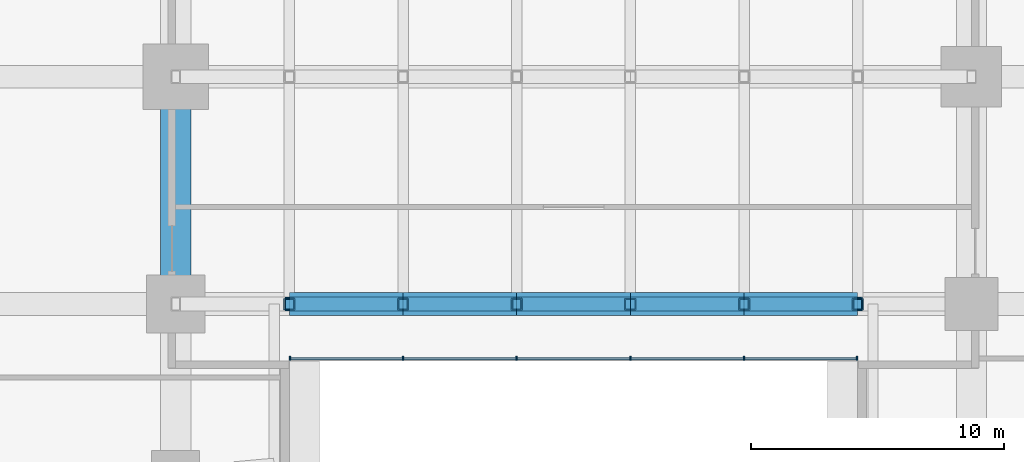
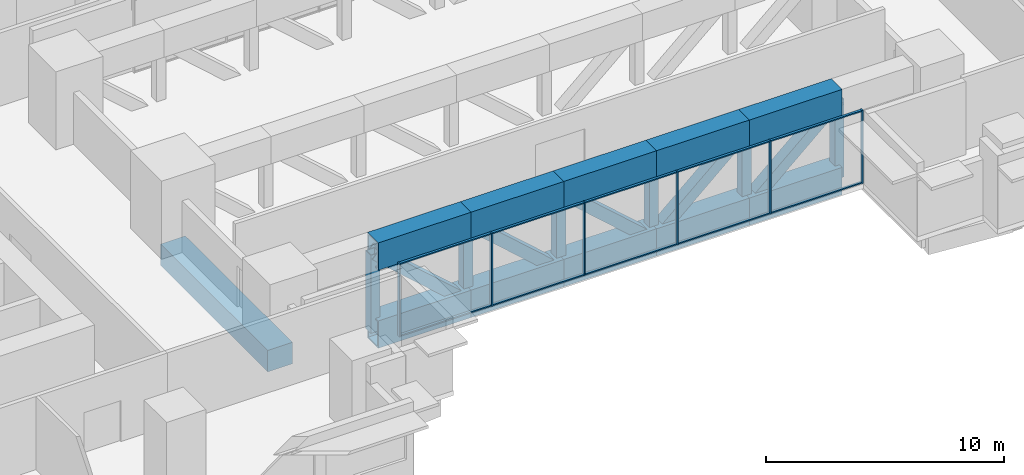
# One storey, part 2 of 15: 37 members, 1 beam, 1 element without a shape of its own.
"""IFC4 building model written with IfcOpenShell, lengths in metres."""

import ifcopenshell
import ifcopenshell.guid

model = None  # the IFC model being written
_history = None  # IfcOwnerHistory: only IFC2X3 demands one
_inside = {}  # id of a spatial element -> (the spatial element, [elements in it])
_under = {}  # id of a project, library or spatial element -> (it, [spatial elements below it])
_declared = {}  # id of a project -> (the project, [libraries it declares])
_typed = {}  # id of a type object -> (the type object, [elements of that type])
_made_of = {}  # id of a material, layer set ... -> (it, [elements and type objects made of it])


def new_model(schema):
    """Start an empty IFC model of exactly this schema.

    Asked for "IFC4X3", IfcOpenShell would pick the latest addendum, in which some entities
    have other attributes; the version numbers below select the first issue.
    IFC2X3 requires an IfcOwnerHistory on every rooted entity: one is made here for all.
    """
    global model, _history
    if schema == "IFC4X3":
        model = ifcopenshell.file(schema_version=(4, 3, 0, 0))
    else:
        model = ifcopenshell.file(schema=schema)
    _inside.clear()
    _under.clear()
    _declared.clear()
    _typed.clear()
    _made_of.clear()
    _history = None
    if model.schema == "IFC2X3":
        org = make("IfcOrganization", Name="unknown")
        user = make(
            "IfcPersonAndOrganization",
            ThePerson=make("IfcPerson", FamilyName="unknown"),
            TheOrganization=org,
        )
        app = make(
            "IfcApplication",
            ApplicationDeveloper=org,
            Version="unknown",
            ApplicationFullName="unknown",
            ApplicationIdentifier="unknown",
        )
        _history = make(
            "IfcOwnerHistory",
            OwningUser=user,
            OwningApplication=app,
            ChangeAction="ADDED",
            CreationDate=0,
        )
    return model


def make(cls, **values):
    """One entity of the class cls with the attributes given. An attribute that is None is left unset."""
    return model.create_entity(
        cls, **{name: value for name, value in values.items() if value is not None}
    )


def rooted(cls, **values):
    """An entity with a GlobalId (a new one), such as an element, a storey or a relation."""
    return make(cls, GlobalId=ifcopenshell.guid.new(), OwnerHistory=_history, **values)


def si_unit(unit_type, name, prefix=None):
    """IfcSIUnit, for example si_unit("LENGTHUNIT", "METRE", prefix="MILLI")."""
    return make("IfcSIUnit", UnitType=unit_type, Prefix=prefix, Name=name)


def assignment(units):
    """IfcUnitAssignment: the units of a project."""
    return None if units is None else make("IfcUnitAssignment", Units=units)


def point(xyz):
    """IfcCartesianPoint."""
    return None if xyz is None else make("IfcCartesianPoint", Coordinates=xyz)


def direction(xyz):
    """IfcDirection."""
    return None if xyz is None else make("IfcDirection", DirectionRatios=xyz)


def frame(location, z_axis=None, x_axis=None):
    """IfcAxis2Placement3D, a coordinate frame: its origin and axes. An axis left out is left unset."""
    return make(
        "IfcAxis2Placement3D",
        Location=point(location),
        Axis=direction(z_axis),
        RefDirection=direction(x_axis),
    )


def frame_2d(location, x_axis=None):
    """IfcAxis2Placement2D, a coordinate frame in the plane: its origin and x axis."""
    return make(
        "IfcAxis2Placement2D", Location=point(location), RefDirection=direction(x_axis)
    )


def origin():
    """The frame at (0, 0, 0) with its axes left unset."""
    return frame((0.0, 0.0, 0.0))


def origin_2d():
    """The frame at (0, 0) in the plane with its x axis left unset."""
    return frame_2d((0.0, 0.0))


def place(relative_to, where):
    """IfcLocalPlacement: puts the frame where relative to a parent placement (None: the world)."""
    return make(
        "IfcLocalPlacement", PlacementRelTo=relative_to, RelativePlacement=where
    )


def context(
    kind, dimensions, precision=None, world=None, true_north=None, identifier=None
):
    """IfcGeometricRepresentationContext, for example the 3D "Model" context."""
    return make(
        "IfcGeometricRepresentationContext",
        ContextIdentifier=identifier,
        ContextType=kind,
        CoordinateSpaceDimension=dimensions,
        Precision=precision,
        WorldCoordinateSystem=world,
        TrueNorth=true_north,
    )


def subcontext(parent, identifier, kind, view, scale=None):
    """IfcGeometricRepresentationSubContext, for example "Body" below "Model"."""
    return make(
        "IfcGeometricRepresentationSubContext",
        ContextIdentifier=identifier,
        ContextType=kind,
        ParentContext=parent,
        TargetScale=scale,
        TargetView=view,
    )


def project(units=None, contexts=None):
    """IfcProject with its units and contexts."""
    return rooted(
        "IfcProject",
        Name="project",
        RepresentationContexts=contexts,
        UnitsInContext=assignment(units),
    )


def spatial(cls, under=None, at=None, **own):
    """A site, building, storey or space (cls), placed at a placement, below another one or the project."""
    s = rooted(cls, ObjectPlacement=at, **own)
    if under is not None:
        _under.setdefault(under.id(), (under, []))[1].append(s)
    return s


def profile(cls, at=None, kind="AREA", **sizes):
    """A parametric profile (cls). Its sizes go by their IFC names, for example OverallWidth=200.0."""
    return make(cls, ProfileType=kind, Position=at, **sizes)


def rectangle(**sizes):
    """IfcRectangleProfileDef."""
    return profile("IfcRectangleProfileDef", **sizes)


def hollow_rectangle(**sizes):
    """IfcRectangleHollowProfileDef."""
    return profile("IfcRectangleHollowProfileDef", **sizes)


def extrude(swept, where, along, depth):
    """IfcExtrudedAreaSolid: the profile swept, set in the frame where, extruded along a direction by depth."""
    return make(
        "IfcExtrudedAreaSolid",
        SweptArea=swept,
        Position=where,
        ExtrudedDirection=direction(along),
        Depth=depth,
    )


def shape(context_of_items, identifier, shape_type, items):
    """IfcShapeRepresentation: the items that make up one representation, for example the "Body"."""
    return make(
        "IfcShapeRepresentation",
        ContextOfItems=context_of_items,
        RepresentationIdentifier=identifier,
        RepresentationType=shape_type,
        Items=items,
    )


def material(Name=None, Category=None):
    """IfcMaterial."""
    return make("IfcMaterial", Name=Name, Category=Category)


def layer(
    of_material, thickness, ventilated=None, Name=None, Category=None, Priority=None
):
    """IfcMaterialLayer: one layer of a wall or slab, of a material (None: an air gap)."""
    return make(
        "IfcMaterialLayer",
        Material=of_material,
        LayerThickness=thickness,
        IsVentilated=ventilated,
        Name=Name,
        Category=Category,
        Priority=Priority,
    )


def layer_set(layers, Name=None):
    """IfcMaterialLayerSet."""
    return make("IfcMaterialLayerSet", MaterialLayers=layers, LayerSetName=Name)


def material_profile(
    of_material, cross_section, Name=None, Category=None, Priority=None
):
    """IfcMaterialProfile: a cross section and its material."""
    return make(
        "IfcMaterialProfile",
        Name=Name,
        Material=of_material,
        Profile=cross_section,
        Priority=Priority,
        Category=Category,
    )


def profile_set(profiles, Name=None, composite=None):
    """IfcMaterialProfileSet."""
    return make(
        "IfcMaterialProfileSet",
        Name=Name,
        MaterialProfiles=profiles,
        CompositeProfile=composite,
    )


def made_of(thing, what):
    """Note that an element or type object is made of a material, layer set ...; save() writes the relation."""
    if what is not None:
        _made_of.setdefault(what.id(), (what, []))[1].append(thing)
    return thing


def type_object(cls, material=None, **own):
    """A type object (cls), such as IfcWallType, which elements share."""
    return made_of(rooted(cls, **own), material)


def element(
    cls,
    number,
    at=None,
    inside=None,
    cuts=None,
    type_object=None,
    material=None,
    context=None,
    identifier="Body",
    shape_type=None,
    held_by="IfcProductDefinitionShape",
    body=None,
    shapes=None,
    **own,
):
    """One element of the class cls, such as IfcWall. Its Tag is "e" and its number.

    at: its placement. inside: the storey or other place that contains it. cuts: it is an
    opening in that element (IfcRelVoidsElement). A single representation is given by context,
    identifier, shape_type and body (its items); several are given by shapes. held_by: the class
    of the entity that holds the representations. save() writes the other relations.
    """
    e = rooted(cls, Tag="e%d" % number, ObjectPlacement=at, **own)
    if body is not None:
        shapes = [shape(context, identifier, shape_type, body)]
    if shapes is not None:
        e.Representation = make(held_by, Representations=shapes)
    if inside is not None:
        _inside.setdefault(inside.id(), (inside, []))[1].append(e)
    if cuts is not None:
        rooted(
            "IfcRelVoidsElement", RelatingBuildingElement=cuts, RelatedOpeningElement=e
        )
    if type_object is not None:
        _typed.setdefault(type_object.id(), (type_object, []))[1].append(e)
    return made_of(e, material)


def aggregate(whole, parts):
    """IfcRelAggregates: a whole, such as a stair, and the parts it consists of."""
    return rooted("IfcRelAggregates", RelatingObject=whole, RelatedObjects=parts)


def save(model, path):
    """Write the relations noted so far, then the file.

    IfcRelAggregates (storeys below a building ...), IfcRelContainedInSpatialStructure (elements
    in a storey), IfcRelDefinesByType, IfcRelAssociatesMaterial and IfcRelDeclares: one each for
    every whole, place, type object, material and project.
    """
    for whole, parts in _under.values():
        aggregate(whole, parts)
    for where, things in _inside.values():
        rooted(
            "IfcRelContainedInSpatialStructure",
            RelatedElements=things,
            RelatingStructure=where,
        )
    for kind, things in _typed.values():
        rooted("IfcRelDefinesByType", RelatedObjects=things, RelatingType=kind)
    for what, things in _made_of.values():
        rooted("IfcRelAssociatesMaterial", RelatedObjects=things, RelatingMaterial=what)
    for by, libraries in _declared.values():
        rooted("IfcRelDeclares", RelatingContext=by, RelatedDefinitions=libraries)
    model.write(path)


model = new_model("IFC4")

# Units and contexts
model_context = context("Model", 3, precision=1e-05, world=origin(), true_north=direction((0.0, 1.0)))
body_context = subcontext(model_context, "Body", "Model", "MODEL_VIEW")
ifc_project = project(units=[si_unit("LENGTHUNIT", "METRE"), si_unit("AREAUNIT", "SQUARE_METRE"), si_unit("VOLUMEUNIT", "CUBIC_METRE"), si_unit("PLANEANGLEUNIT", "RADIAN"), si_unit("MASSUNIT", "GRAM", prefix="KILO")], contexts=[model_context])

# Site, building, storey
site_placement = place(None, origin())
site = spatial("IfcSite", under=ifc_project, at=site_placement, CompositionType="ELEMENT")
building_placement = place(site_placement, origin())
building = spatial("IfcBuilding", under=site, at=building_placement, Name="Namib Vertical Campus", CompositionType="ELEMENT")
storey_placement = place(building_placement, frame((0.0, 0.0, 105.0)))
storey = spatial("IfcBuildingStorey", under=building, at=storey_placement, Name="L24", CompositionType="ELEMENT", Elevation=105.0)

# Curtain wall, members
ifc_material_1 = material(Name="Black aluminium curtain wall", Category="aluminium")
ifc_layer = layer(ifc_material_1, 0.199951171875)
ifc_layer_set = layer_set([ifc_layer], Name="Bridge curtain wall CW-BR")
curtain_wall_type = type_object("IfcCurtainWallType", Name="Bridge curtain wall CW-BR", PredefinedType="USERDEFINED", material=ifc_layer_set)
curtain_wall_placement = place(storey_placement, origin())
curtain_wall = element("IfcCurtainWall", 1, at=curtain_wall_placement, inside=storey, type_object=curtain_wall_type, Name="Curtain wall CW-BR L24 S", ObjectType="CURTAIN WALL", PredefinedType="USERDEFINED")
ifc_material_2 = material(Name="Black anodised aluminium", Category="aluminium")
ifc_material_profile_1 = material_profile(ifc_material_2, rectangle(XDim=0.06005859375, YDim=0.159912109375, at=origin_2d()))
ifc_profile_set_1 = profile_set([ifc_material_profile_1], Name="Black anodised aluminium")
member_type_1 = type_object("IfcMemberType", Name="Curtain wall mullion 60x160", PredefinedType="MULLION", material=ifc_profile_set_1)
member_1_placement = place(storey_placement, frame((40.530029296875, 9.10009765625, 0.0), z_axis=(0.0, 0.0, 1.0), x_axis=(1.0, 0.0, 0.0)))
member_1 = element("IfcMember", 2, at=member_1_placement, type_object=member_type_1, Name="CW-BR mullion 1", PredefinedType="MULLION", context=body_context, shape_type="SweptSolid", body=[
    extrude(rectangle(XDim=0.06005859375, YDim=0.159912109375, at=origin_2d()), origin(), (0.0, 0.0, 1.0), 3.75),
])
member_2_placement = place(storey_placement, frame((45.0, 9.10009765625, 0.0), z_axis=(0.0, 0.0, 1.0), x_axis=(1.0, 0.0, 0.0)))
member_2 = element("IfcMember", 3, at=member_2_placement, type_object=member_type_1, Name="CW-BR mullion 2", PredefinedType="MULLION", context=body_context, shape_type="SweptSolid", body=[
    extrude(rectangle(XDim=0.06005859375, YDim=0.159912109375, at=origin_2d()), origin(), (0.0, 0.0, 1.0), 3.75),
])
member_3_placement = place(storey_placement, frame((49.5, 9.10009765625, 0.0), z_axis=(0.0, 0.0, 1.0), x_axis=(1.0, 0.0, 0.0)))
member_3 = element("IfcMember", 4, at=member_3_placement, type_object=member_type_1, Name="CW-BR mullion 3", PredefinedType="MULLION", context=body_context, shape_type="SweptSolid", body=[
    extrude(rectangle(XDim=0.06005859375, YDim=0.159912109375, at=origin_2d()), origin(), (0.0, 0.0, 1.0), 3.75),
])
member_4_placement = place(storey_placement, frame((54.0, 9.10009765625, 0.0), z_axis=(0.0, 0.0, 1.0), x_axis=(1.0, 0.0, 0.0)))
member_4 = element("IfcMember", 5, at=member_4_placement, type_object=member_type_1, Name="CW-BR mullion 4", PredefinedType="MULLION", context=body_context, shape_type="SweptSolid", body=[
    extrude(rectangle(XDim=0.06005859375, YDim=0.159912109375, at=origin_2d()), origin(), (0.0, 0.0, 1.0), 3.75),
])
member_5_placement = place(storey_placement, frame((58.5, 9.10009765625, 0.0), z_axis=(0.0, 0.0, 1.0), x_axis=(1.0, 0.0, 0.0)))
member_5 = element("IfcMember", 6, at=member_5_placement, type_object=member_type_1, Name="CW-BR mullion 5", PredefinedType="MULLION", context=body_context, shape_type="SweptSolid", body=[
    extrude(rectangle(XDim=0.06005859375, YDim=0.159912109375, at=origin_2d()), origin(), (0.0, 0.0, 1.0), 3.75),
])
member_6_placement = place(storey_placement, frame((62.969970703125, 9.10009765625, 0.0), z_axis=(0.0, 0.0, 1.0), x_axis=(1.0, 0.0, 0.0)))
member_6 = element("IfcMember", 7, at=member_6_placement, type_object=member_type_1, Name="CW-BR mullion 6", PredefinedType="MULLION", context=body_context, shape_type="SweptSolid", body=[
    extrude(rectangle(XDim=0.06005859375, YDim=0.159912109375, at=origin_2d()), origin(), (0.0, 0.0, 1.0), 3.75),
])
ifc_material_3 = material(Name="Black anodised aluminium", Category="aluminium")
ifc_material_profile_2 = material_profile(ifc_material_3, rectangle(XDim=0.06005859375, YDim=0.1201171875, at=origin_2d()))
ifc_profile_set_2 = profile_set([ifc_material_profile_2], Name="Black anodised aluminium")
member_type_2 = type_object("IfcMemberType", Name="Curtain wall transom 60x120", PredefinedType="USERDEFINED", material=ifc_profile_set_2)
member_7_placement = place(storey_placement, frame((40.56005859375, 9.10009765625, 0.030029296875), z_axis=(1.0, 0.0, 0.0), x_axis=(0.0, 0.0, 1.0)))
member_7 = element("IfcMember", 8, at=member_7_placement, type_object=member_type_2, Name="CW-BR transom 1.1", ObjectType="TRANSOM", PredefinedType="USERDEFINED", context=body_context, shape_type="SweptSolid", body=[
    extrude(rectangle(XDim=0.06005859375, YDim=0.1201171875, at=origin_2d()), origin(), (0.0, 0.0, 1.0), 4.409912109375),
])
member_8_placement = place(storey_placement, frame((40.56005859375, 9.10009765625, 3.719970703125), z_axis=(1.0, 0.0, 0.0), x_axis=(0.0, 0.0, 1.0)))
member_8 = element("IfcMember", 9, at=member_8_placement, type_object=member_type_2, Name="CW-BR transom 1.2", ObjectType="TRANSOM", PredefinedType="USERDEFINED", context=body_context, shape_type="SweptSolid", body=[
    extrude(rectangle(XDim=0.06005859375, YDim=0.1201171875, at=origin_2d()), origin(), (0.0, 0.0, 1.0), 4.409912109375),
])
member_9_placement = place(storey_placement, frame((45.030029296875, 9.10009765625, 0.030029296875), z_axis=(1.0, 0.0, 0.0), x_axis=(0.0, 0.0, 1.0)))
member_9 = element("IfcMember", 10, at=member_9_placement, type_object=member_type_2, Name="CW-BR transom 2.1", ObjectType="TRANSOM", PredefinedType="USERDEFINED", context=body_context, shape_type="SweptSolid", body=[
    extrude(rectangle(XDim=0.06005859375, YDim=0.1201171875, at=origin_2d()), origin(), (0.0, 0.0, 1.0), 4.43994140625),
])
member_10_placement = place(storey_placement, frame((45.030029296875, 9.10009765625, 3.719970703125), z_axis=(1.0, 0.0, 0.0), x_axis=(0.0, 0.0, 1.0)))
member_10 = element("IfcMember", 11, at=member_10_placement, type_object=member_type_2, Name="CW-BR transom 2.2", ObjectType="TRANSOM", PredefinedType="USERDEFINED", context=body_context, shape_type="SweptSolid", body=[
    extrude(rectangle(XDim=0.06005859375, YDim=0.1201171875, at=origin_2d()), origin(), (0.0, 0.0, 1.0), 4.43994140625),
])
member_11_placement = place(storey_placement, frame((49.530029296875, 9.10009765625, 0.030029296875), z_axis=(1.0, 0.0, 0.0), x_axis=(0.0, 0.0, 1.0)))
member_11 = element("IfcMember", 12, at=member_11_placement, type_object=member_type_2, Name="CW-BR transom 3.1", ObjectType="TRANSOM", PredefinedType="USERDEFINED", context=body_context, shape_type="SweptSolid", body=[
    extrude(rectangle(XDim=0.06005859375, YDim=0.1201171875, at=origin_2d()), origin(), (0.0, 0.0, 1.0), 4.43994140625),
])
member_12_placement = place(storey_placement, frame((49.530029296875, 9.10009765625, 3.719970703125), z_axis=(1.0, 0.0, 0.0), x_axis=(0.0, 0.0, 1.0)))
member_12 = element("IfcMember", 13, at=member_12_placement, type_object=member_type_2, Name="CW-BR transom 3.2", ObjectType="TRANSOM", PredefinedType="USERDEFINED", context=body_context, shape_type="SweptSolid", body=[
    extrude(rectangle(XDim=0.06005859375, YDim=0.1201171875, at=origin_2d()), origin(), (0.0, 0.0, 1.0), 4.43994140625),
])
member_13_placement = place(storey_placement, frame((54.030029296875, 9.10009765625, 0.030029296875), z_axis=(1.0, 0.0, 0.0), x_axis=(0.0, 0.0, 1.0)))
member_13 = element("IfcMember", 14, at=member_13_placement, type_object=member_type_2, Name="CW-BR transom 4.1", ObjectType="TRANSOM", PredefinedType="USERDEFINED", context=body_context, shape_type="SweptSolid", body=[
    extrude(rectangle(XDim=0.06005859375, YDim=0.1201171875, at=origin_2d()), origin(), (0.0, 0.0, 1.0), 4.43994140625),
])
member_14_placement = place(storey_placement, frame((54.030029296875, 9.10009765625, 3.719970703125), z_axis=(1.0, 0.0, 0.0), x_axis=(0.0, 0.0, 1.0)))
member_14 = element("IfcMember", 15, at=member_14_placement, type_object=member_type_2, Name="CW-BR transom 4.2", ObjectType="TRANSOM", PredefinedType="USERDEFINED", context=body_context, shape_type="SweptSolid", body=[
    extrude(rectangle(XDim=0.06005859375, YDim=0.1201171875, at=origin_2d()), origin(), (0.0, 0.0, 1.0), 4.43994140625),
])
member_15_placement = place(storey_placement, frame((58.530029296875, 9.10009765625, 0.030029296875), z_axis=(1.0, 0.0, 0.0), x_axis=(0.0, 0.0, 1.0)))
member_15 = element("IfcMember", 16, at=member_15_placement, type_object=member_type_2, Name="CW-BR transom 5.1", ObjectType="TRANSOM", PredefinedType="USERDEFINED", context=body_context, shape_type="SweptSolid", body=[
    extrude(rectangle(XDim=0.06005859375, YDim=0.1201171875, at=origin_2d()), origin(), (0.0, 0.0, 1.0), 4.409912109375),
])
member_16_placement = place(storey_placement, frame((58.530029296875, 9.10009765625, 3.719970703125), z_axis=(1.0, 0.0, 0.0), x_axis=(0.0, 0.0, 1.0)))
member_16 = element("IfcMember", 17, at=member_16_placement, type_object=member_type_2, Name="CW-BR transom 5.2", ObjectType="TRANSOM", PredefinedType="USERDEFINED", context=body_context, shape_type="SweptSolid", body=[
    extrude(rectangle(XDim=0.06005859375, YDim=0.1201171875, at=origin_2d()), origin(), (0.0, 0.0, 1.0), 4.409912109375),
])
aggregate(curtain_wall, [member_1, member_2, member_3, member_4, member_5, member_6, member_7, member_8, member_9, member_10, member_11, member_12, member_13, member_14, member_15, member_16])

# Beam
ifc_material_4 = material(Name="Concrete C40/50", Category="concrete")
ifc_material_profile_3 = material_profile(ifc_material_4, rectangle(XDim=1.199951171875, YDim=1.10009765625, at=origin_2d()))
ifc_profile_set_3 = profile_set([ifc_material_profile_3], Name="Concrete C40/50")
beam_type = type_object("IfcBeamType", Name="Face ring beam RC 1200x1100", PredefinedType="BEAM", material=ifc_profile_set_3)
beam_placement = place(storey_placement, frame((36.0, 11.25, -0.800048828125), z_axis=(0.0, 1.0, 0.0), x_axis=(-1.0, 0.0, 0.0)))
element("IfcBeam", 18, at=beam_placement, inside=storey, type_object=beam_type, Name="Beam B11 L24", PredefinedType="BEAM", context=body_context, shape_type="SweptSolid", body=[
    extrude(rectangle(XDim=1.199951171875, YDim=1.10009765625, at=origin_2d()), origin(), (0.0, 0.0, 1.0), 9.0),
])

# Members
ifc_material_5 = material(Name="Steel S355JR", Category="steel")
ifc_material_profile_4 = material_profile(ifc_material_5, hollow_rectangle(XDim=0.89990234375, YDim=1.39990234375, WallThickness=0.070068359375, at=origin_2d()))
ifc_profile_set_4 = profile_set([ifc_material_profile_4], Name="Steel S355JR")
member_type_3 = type_object("IfcMemberType", Name="Truss chord WB 1400x900x70", PredefinedType="CHORD", material=ifc_profile_set_4)
for number, where, z_axis, x_axis, name in (
    (19, (40.5, 11.25, -0.949951171875), (1.0, 0.0, 0.0), (0.0, 1.0, 0.0), "Transfer truss T1 bottom chord 2"),
    (20, (40.5, 11.25, 3.050048828125), (1.0, 0.0, 0.0), (0.0, 1.0, 0.0), "Transfer truss T1 top chord 2"),
    (21, (45.0, 11.25, -0.949951171875), (1.0, 0.0, 0.0), (0.0, 1.0, 0.0), "Transfer truss T1 bottom chord 3"),
    (22, (45.0, 11.25, 3.050048828125), (1.0, 0.0, 0.0), (0.0, 1.0, 0.0), "Transfer truss T1 top chord 3"),
    (23, (49.5, 11.25, -0.949951171875), (1.0, 0.0, 0.0), (0.0, 1.0, 0.0), "Transfer truss T1 bottom chord 4"),
    (24, (49.5, 11.25, 3.050048828125), (1.0, 0.0, 0.0), (0.0, 1.0, 0.0), "Transfer truss T1 top chord 4"),
    (25, (54.0, 11.25, -0.949951171875), (1.0, 0.0, 0.0), (0.0, 1.0, 0.0), "Transfer truss T1 bottom chord 5"),
    (26, (54.0, 11.25, 3.050048828125), (1.0, 0.0, 0.0), (0.0, 1.0, 0.0), "Transfer truss T1 top chord 5"),
    (27, (58.5, 11.25, -0.949951171875), (1.0, 0.0, 0.0), (0.0, 1.0, 0.0), "Transfer truss T1 bottom chord 6"),
    (28, (58.5, 11.25, 3.050048828125), (1.0, 0.0, 0.0), (0.0, 1.0, 0.0), "Transfer truss T1 top chord 6"),
):
    element("IfcMember", number, at=place(storey_placement, frame(where, z_axis=z_axis, x_axis=x_axis)), inside=storey, type_object=member_type_3, Name=name, PredefinedType="CHORD", context=body_context, shape_type="SweptSolid", body=[
        extrude(hollow_rectangle(XDim=0.89990234375, YDim=1.39990234375, WallThickness=0.070068359375, at=origin_2d()), origin(), (0.0, 0.0, 1.0), 4.5),
    ])
ifc_material_6 = material(Name="Steel S355JR", Category="steel")
ifc_material_profile_5 = material_profile(ifc_material_6, hollow_rectangle(XDim=0.550048828125, YDim=0.550048828125, WallThickness=0.0400390625, at=origin_2d()))
ifc_profile_set_5 = profile_set([ifc_material_profile_5], Name="Steel S355JR")
member_type_4 = type_object("IfcMemberType", Name="Truss diagonal WB 550x550x40", PredefinedType="BRACE", material=ifc_profile_set_5)
for number, where, z_axis, x_axis, name in (
    (29, (40.5, 11.25, 3.050048828125), (0.747409318684, 0.0, -0.66436383883), (0.0, 1.0, 0.0), "Transfer truss T1 diagonal 2"),
    (30, (45.0, 11.25, 3.050048828125), (0.747409318684, 0.0, -0.66436383883), (0.0, 1.0, 0.0), "Transfer truss T1 diagonal 3"),
    (31, (49.5, 11.25, 3.050048828125), (0.747409318684, 0.0, -0.66436383883), (0.0, 1.0, 0.0), "Transfer truss T1 diagonal 4"),
    (32, (58.5, 11.25, 3.050048828125), (-0.747409318684, 0.0, -0.66436383883), (0.0, -1.0, 0.0), "Transfer truss T1 diagonal 5"),
    (33, (63.0, 11.25, 3.050048828125), (-0.747409318684, 0.0, -0.66436383883), (0.0, -1.0, 0.0), "Transfer truss T1 diagonal 6"),
):
    element("IfcMember", number, at=place(storey_placement, frame(where, z_axis=z_axis, x_axis=x_axis)), inside=storey, type_object=member_type_4, Name=name, PredefinedType="BRACE", context=body_context, shape_type="SweptSolid", body=[
        extrude(hollow_rectangle(XDim=0.550048828125, YDim=0.550048828125, WallThickness=0.0400390625, at=origin_2d()), origin(), (0.0, 0.0, 1.0), 6.020751953125),
    ])
ifc_material_7 = material(Name="Steel S355JR", Category="steel")
ifc_material_profile_6 = material_profile(ifc_material_7, hollow_rectangle(XDim=0.449951171875, YDim=0.449951171875, WallThickness=0.034912109375, at=origin_2d()))
ifc_profile_set_6 = profile_set([ifc_material_profile_6], Name="Steel S355JR")
member_type_5 = type_object("IfcMemberType", Name="Truss post WB 450x450x35", PredefinedType="POST", material=ifc_profile_set_6)
for number, where, z_axis, x_axis, name in (
    (34, (40.5, 11.25, -0.949951171875), (0.0, 0.0, 1.0), (1.0, 0.0, 0.0), "Transfer truss T1 post 1"),
    (35, (45.0, 11.25, -0.949951171875), (0.0, 0.0, 1.0), (1.0, 0.0, 0.0), "Transfer truss T1 post 2"),
    (36, (49.5, 11.25, -0.949951171875), (0.0, 0.0, 1.0), (1.0, 0.0, 0.0), "Transfer truss T1 post 3"),
    (37, (54.0, 11.25, -0.949951171875), (0.0, 0.0, 1.0), (1.0, 0.0, 0.0), "Transfer truss T1 post 4"),
    (38, (58.5, 11.25, -0.949951171875), (0.0, 0.0, 1.0), (1.0, 0.0, 0.0), "Transfer truss T1 post 5"),
    (39, (63.0, 11.25, -0.949951171875), (0.0, 0.0, 1.0), (1.0, 0.0, 0.0), "Transfer truss T1 post 6"),
):
    element("IfcMember", number, at=place(storey_placement, frame(where, z_axis=z_axis, x_axis=x_axis)), inside=storey, type_object=member_type_5, Name=name, PredefinedType="POST", context=body_context, shape_type="SweptSolid", body=[
        extrude(hollow_rectangle(XDim=0.449951171875, YDim=0.449951171875, WallThickness=0.034912109375, at=origin_2d()), origin(), (0.0, 0.0, 1.0), 4.0),
    ])

save(model, "model.ifc")
